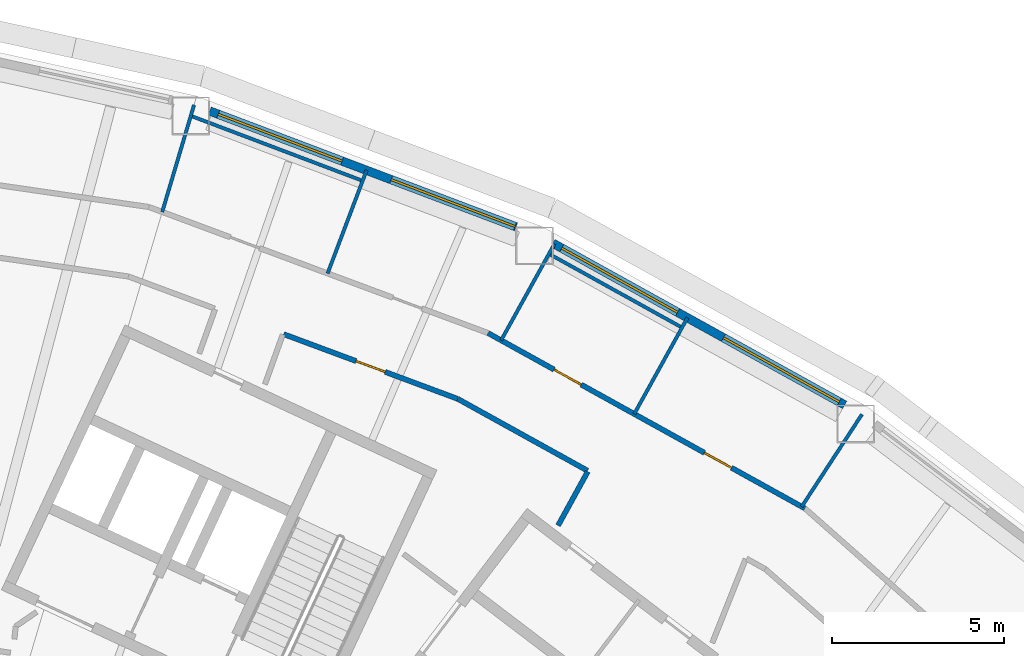
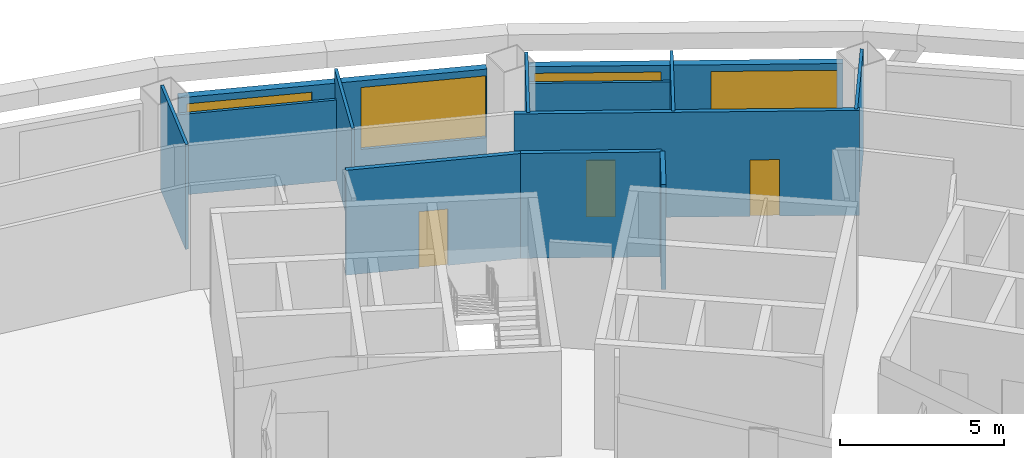
# One storey, part 9 of 12: 13 walls, 4 windows, 3 doors, 7 openings.
"""IFC4 building model written with IfcOpenShell, lengths in metres."""

from ifc_helpers import new_model, si_unit, direction, frame, frame_2d, origin, place, context, subcontext, project, spatial, rectangle, extrude, material, layer, layer_set, type_object, element, fill, save


model = new_model("IFC4")

# Units and contexts
model_context = context("Model", 3, precision=1e-05, world=origin(), true_north=direction((0.0, 1.0)))
body_context = subcontext(model_context, "Body", "Model", "MODEL_VIEW")
ifc_project = project(units=[si_unit("LENGTHUNIT", "METRE"), si_unit("AREAUNIT", "SQUARE_METRE"), si_unit("VOLUMEUNIT", "CUBIC_METRE"), si_unit("PLANEANGLEUNIT", "RADIAN"), si_unit("MASSUNIT", "GRAM", prefix="KILO")], contexts=[model_context])

# Site, building, storey
site_placement = place(None, origin())
site = spatial("IfcSite", under=ifc_project, at=site_placement, CompositionType="ELEMENT")
building_placement = place(site_placement, origin())
building = spatial("IfcBuilding", under=site, at=building_placement, Name="Tuul Gate Civic Tower", CompositionType="ELEMENT")
storey_placement = place(building_placement, frame((0.0, 0.0, 103.5)))
storey = spatial("IfcBuildingStorey", under=building, at=storey_placement, Name="Level 23", CompositionType="ELEMENT", Elevation=103.5)

# Wall, openings, doors
ifc_material_1 = material(Name="Gypsum board partition")
ifc_layer_1 = layer(ifc_material_1, 0.14990234375)
ifc_layer_set_1 = layer_set([ifc_layer_1], Name="Gypsum board partition")
wall_type_1 = type_object("IfcWallType", Name="Corridor wall P150", PredefinedType="PARTITIONING", material=ifc_layer_set_1)
wall_1_placement = place(storey_placement, frame((39.54541015625, 4.30322265625, 0.0), z_axis=(0.0, 0.0, 1.0), x_axis=(0.874963966878, -0.48418803854, 0.0)))
wall_1 = element("IfcWall", 1, at=wall_1_placement, inside=storey, type_object=wall_type_1, Name="p004", PredefinedType="PARTITIONING", context=body_context, shape_type="SweptSolid", body=[
    extrude(rectangle(XDim=10.519775390625, YDim=0.14990234375, at=frame_2d((5.259765625, 0.0))), origin(), (0.0, 0.0, 1.0), 3.89990234375),
])
opening_1_placement = place(wall_1_placement, frame((7.186279296875, 0.0, 0.0)))
opening_1 = element("IfcOpeningElement", 2, at=opening_1_placement, cuts=wall_1, Name="Opening G-D02", PredefinedType="OPENING", context=body_context, shape_type="SweptSolid", body=[
    extrude(rectangle(XDim=0.89990234375, YDim=2.10009765625, at=frame_2d((0.449951171875, 1.050048828125))), frame((0.0, 0.0849609375, 0.0), z_axis=(0.0, -1.0, 0.0), x_axis=(1.0, 0.0, 0.0)), (0.0, 0.0, 1.0), 0.169921875),
])
opening_2_placement = place(wall_1_placement, frame((2.193603515625, 0.0, 0.0)))
opening_2 = element("IfcOpeningElement", 3, at=opening_2_placement, cuts=wall_1, Name="Opening G-D03", PredefinedType="OPENING", context=body_context, shape_type="SweptSolid", body=[
    extrude(rectangle(XDim=0.89990234375, YDim=2.10009765625, at=frame_2d((0.449951171875, 1.050048828125))), frame((0.0, 0.0849609375, 0.0), z_axis=(0.0, -1.0, 0.0), x_axis=(1.0, 0.0, 0.0)), (0.0, 0.0, 1.0), 0.169921875),
])
ifc_material_2 = material(Name="Timber door leaf", Category="wood")
door_type = type_object("IfcDoorType", Name="Door D09", OperationType="NOTDEFINED", PredefinedType="DOOR", material=ifc_material_2)
door_1_placement = place(opening_1_placement, origin())
door_1 = element("IfcDoor", 4, at=door_1_placement, inside=storey, type_object=door_type, Name="Door G-D02", OperationType="SINGLE_SWING_RIGHT", OverallHeight=2.10009765625, OverallWidth=0.89990234375, PredefinedType="DOOR", context=body_context, shape_type="SweptSolid", body=[
    extrude(rectangle(XDim=0.89990234375, YDim=2.10009765625, at=frame_2d((0.449951171875, 1.050048828125))), frame((0.0, 0.02490234375, 0.0), z_axis=(0.0, -1.0, 0.0), x_axis=(1.0, 0.0, 0.0)), (0.0, 0.0, 1.0), 0.050048828125),
])
fill(opening_1, door_1)
door_2_placement = place(opening_2_placement, origin())
door_2 = element("IfcDoor", 5, at=door_2_placement, inside=storey, type_object=door_type, Name="Door G-D03", OperationType="SINGLE_SWING_RIGHT", OverallHeight=2.10009765625, OverallWidth=0.89990234375, PredefinedType="DOOR", context=body_context, shape_type="SweptSolid", body=[
    extrude(rectangle(XDim=0.89990234375, YDim=2.10009765625, at=frame_2d((0.449951171875, 1.050048828125))), frame((0.0, 0.02490234375, 0.0), z_axis=(0.0, -1.0, 0.0), x_axis=(1.0, 0.0, 0.0)), (0.0, 0.0, 1.0), 0.050048828125),
])
fill(opening_2, door_2)

# Wall
wall_2_placement = place(storey_placement, frame((38.66748046875, 2.388916015625, 0.0), z_axis=(0.0, 0.0, 1.0), x_axis=(0.874977303157, -0.484163938103, 0.0)))
element("IfcWall", 6, at=wall_2_placement, inside=storey, type_object=wall_type_1, Name="p054", PredefinedType="PARTITIONING", context=body_context, shape_type="SweptSolid", body=[
    extrude(rectangle(XDim=4.3046875, YDim=0.14990234375, at=frame_2d((2.15234375, 0.0))), origin(), (0.0, 0.0, 1.0), 3.89990234375),
])

# Wall, opening, door
wall_3_placement = place(storey_placement, frame((33.6025390625, 4.271728515625, 0.0), z_axis=(0.0, 0.0, 1.0), x_axis=(0.937345147729, -0.348402172826, 0.0)))
wall_3 = element("IfcWall", 7, at=wall_3_placement, inside=storey, type_object=wall_type_1, Name="p060", PredefinedType="PARTITIONING", context=body_context, shape_type="SweptSolid", body=[
    extrude(rectangle(XDim=5.400634765625, YDim=0.14990234375, at=frame_2d((2.7001953125, 0.0))), origin(), (0.0, 0.0, 1.0), 3.89990234375),
])
opening_3_placement = place(wall_3_placement, frame((2.250244140625, 0.0, 0.0)))
opening_3 = element("IfcOpeningElement", 8, at=opening_3_placement, cuts=wall_3, Name="Opening G-D16", PredefinedType="OPENING", context=body_context, shape_type="SweptSolid", body=[
    extrude(rectangle(XDim=0.89990234375, YDim=2.10009765625, at=frame_2d((0.449951171875, 1.050048828125))), frame((0.0, 0.0849609375, 0.0), z_axis=(0.0, -1.0, 0.0), x_axis=(1.0, 0.0, 0.0)), (0.0, 0.0, 1.0), 0.169921875),
])
door_3_placement = place(opening_3_placement, frame((0.89990234375, 0.0, 0.0), z_axis=(0.0, 0.0, 1.0), x_axis=(-1.0, 0.0, 0.0)))
door_3 = element("IfcDoor", 9, at=door_3_placement, inside=storey, type_object=door_type, Name="Door G-D16", OperationType="SINGLE_SWING_LEFT", OverallHeight=2.10009765625, OverallWidth=0.89990234375, PredefinedType="DOOR", context=body_context, shape_type="SweptSolid", body=[
    extrude(rectangle(XDim=0.89990234375, YDim=2.10009765625, at=frame_2d((0.449951171875, 1.050048828125))), frame((0.0, 0.02490234375, 0.0), z_axis=(0.0, -1.0, 0.0), x_axis=(1.0, 0.0, 0.0)), (0.0, 0.0, 1.0), 0.050048828125),
])
fill(opening_3, door_3)

# Wall
wall_4_placement = place(storey_placement, frame((41.580322265625, -1.288818359375, 0.0), z_axis=(0.0, 0.0, 1.0), x_axis=(0.481939719388, 0.876204375061, 0.0)))
element("IfcWall", 10, at=wall_4_placement, inside=storey, type_object=wall_type_1, Name="p061", PredefinedType="PARTITIONING", context=body_context, shape_type="SweptSolid", body=[
    extrude(rectangle(XDim=1.78759765625, YDim=0.14990234375, at=frame_2d((0.893798828125, 0.0))), origin(), (0.0, 0.0, 1.0), 3.89990234375),
])

# Wall, openings, windows
ifc_material_3 = material(Name="Precast concrete C40/50", Category="concrete")
ifc_layer_2 = layer(ifc_material_3, 0.25)
ifc_layer_set_2 = layer_set([ifc_layer_2], Name="Precast concrete C40/50")
wall_type_2 = type_object("IfcWallType", Name="External wall", PredefinedType="STANDARD", material=ifc_layer_set_2)
wall_5_placement = place(storey_placement, frame((49.909912109375, 2.214111328125, 0.0), z_axis=(0.0, 0.0, 1.0), x_axis=(-0.874636658458, 0.484779037997, 0.0)))
wall_5 = element("IfcWall", 11, at=wall_5_placement, inside=storey, type_object=wall_type_2, Name="External wall", PredefinedType="STANDARD", context=body_context, shape_type="SweptSolid", body=[
    extrude(rectangle(XDim=9.696533203125, YDim=0.25, at=frame_2d((4.84814453125, 0.0))), origin(), (0.0, 0.0, 1.0), 3.449951171875),
])
opening_4_placement = place(wall_5_placement, frame((0.180419921875, 0.0, 0.89990234375)))
opening_4 = element("IfcOpeningElement", 12, at=opening_4_placement, cuts=wall_5, Name="Opening W22", PredefinedType="OPENING", context=body_context, shape_type="SweptSolid", body=[
    extrude(rectangle(XDim=3.85009765625, YDim=2.300048828125, at=frame_2d((1.925048828125, 1.14990234375))), frame((0.0, 0.135009765625, 0.0), z_axis=(0.0, -1.0, 0.0), x_axis=(1.0, 0.0, 0.0)), (0.0, 0.0, 1.0), 0.27001953125),
])
opening_5_placement = place(wall_5_placement, frame((5.5517578125, 0.0, 0.89990234375)))
opening_5 = element("IfcOpeningElement", 13, at=opening_5_placement, cuts=wall_5, Name="Opening W22", PredefinedType="OPENING", context=body_context, shape_type="SweptSolid", body=[
    extrude(rectangle(XDim=3.85009765625, YDim=2.300048828125, at=frame_2d((1.925048828125, 1.14990234375))), frame((0.0, 0.135009765625, 0.0), z_axis=(0.0, -1.0, 0.0), x_axis=(1.0, 0.0, 0.0)), (0.0, 0.0, 1.0), 0.27001953125),
])
ifc_material_4 = material(Name="Glass", Category="glass")
window_type = type_object("IfcWindowType", Name="Window W22 3850 x 2300", PartitioningType="SINGLE_PANEL", PredefinedType="WINDOW", material=ifc_material_4)
window_1_placement = place(opening_4_placement, origin())
window_1 = element("IfcWindow", 14, at=window_1_placement, inside=storey, type_object=window_type, Name="Window", OverallHeight=2.300048828125, OverallWidth=3.85009765625, PartitioningType="SINGLE_PANEL", PredefinedType="WINDOW", context=body_context, shape_type="SweptSolid", body=[
    extrude(rectangle(XDim=3.85009765625, YDim=2.300048828125, at=frame_2d((1.925048828125, 1.14990234375))), frame((0.0, 0.030029296875, 0.0), z_axis=(0.0, -1.0, 0.0), x_axis=(1.0, 0.0, 0.0)), (0.0, 0.0, 1.0), 0.06005859375),
])
fill(opening_4, window_1)
window_2_placement = place(opening_5_placement, origin())
window_2 = element("IfcWindow", 15, at=window_2_placement, inside=storey, type_object=window_type, Name="Window", OverallHeight=2.300048828125, OverallWidth=3.85009765625, PartitioningType="SINGLE_PANEL", PredefinedType="WINDOW", context=body_context, shape_type="SweptSolid", body=[
    extrude(rectangle(XDim=3.85009765625, YDim=2.300048828125, at=frame_2d((1.925048828125, 1.14990234375))), frame((0.0, 0.030029296875, 0.0), z_axis=(0.0, -1.0, 0.0), x_axis=(1.0, 0.0, 0.0)), (0.0, 0.0, 1.0), 0.06005859375),
])
fill(opening_5, window_2)

wall_6_placement = place(storey_placement, frame((40.358154296875, 7.389892578125, 0.0), z_axis=(0.0, 0.0, 1.0), x_axis=(-0.935373880855, 0.353660434618, 0.0)))
wall_6 = element("IfcWall", 16, at=wall_6_placement, inside=storey, type_object=wall_type_2, Name="External wall", PredefinedType="STANDARD", context=body_context, shape_type="SweptSolid", body=[
    extrude(rectangle(XDim=9.518310546875, YDim=0.25, at=frame_2d((4.75927734375, 0.0))), origin(), (0.0, 0.0, 1.0), 3.449951171875),
])
opening_6_placement = place(wall_6_placement, frame((0.0341796875, 0.0, 0.89990234375)))
opening_6 = element("IfcOpeningElement", 17, at=opening_6_placement, cuts=wall_6, Name="Opening W22", PredefinedType="OPENING", context=body_context, shape_type="SweptSolid", body=[
    extrude(rectangle(XDim=3.85009765625, YDim=2.300048828125, at=frame_2d((1.925048828125, 1.14990234375))), frame((0.0, 0.135009765625, 0.0), z_axis=(0.0, -1.0, 0.0), x_axis=(1.0, 0.0, 0.0)), (0.0, 0.0, 1.0), 0.27001953125),
])
opening_7_placement = place(wall_6_placement, frame((5.4052734375, 0.0, 0.89990234375)))
opening_7 = element("IfcOpeningElement", 18, at=opening_7_placement, cuts=wall_6, Name="Opening W22", PredefinedType="OPENING", context=body_context, shape_type="SweptSolid", body=[
    extrude(rectangle(XDim=3.85009765625, YDim=2.300048828125, at=frame_2d((1.925048828125, 1.14990234375))), frame((0.0, 0.135009765625, 0.0), z_axis=(0.0, -1.0, 0.0), x_axis=(1.0, 0.0, 0.0)), (0.0, 0.0, 1.0), 0.27001953125),
])
window_3_placement = place(opening_6_placement, origin())
window_3 = element("IfcWindow", 19, at=window_3_placement, inside=storey, type_object=window_type, Name="Window", OverallHeight=2.300048828125, OverallWidth=3.85009765625, PartitioningType="SINGLE_PANEL", PredefinedType="WINDOW", context=body_context, shape_type="SweptSolid", body=[
    extrude(rectangle(XDim=3.85009765625, YDim=2.300048828125, at=frame_2d((1.925048828125, 1.14990234375))), frame((0.0, 0.030029296875, 0.0), z_axis=(0.0, -1.0, 0.0), x_axis=(1.0, 0.0, 0.0)), (0.0, 0.0, 1.0), 0.06005859375),
])
fill(opening_6, window_3)
window_4_placement = place(opening_7_placement, origin())
window_4 = element("IfcWindow", 20, at=window_4_placement, inside=storey, type_object=window_type, Name="Window", OverallHeight=2.300048828125, OverallWidth=3.85009765625, PartitioningType="SINGLE_PANEL", PredefinedType="WINDOW", context=body_context, shape_type="SweptSolid", body=[
    extrude(rectangle(XDim=3.85009765625, YDim=2.300048828125, at=frame_2d((1.925048828125, 1.14990234375))), frame((0.0, 0.030029296875, 0.0), z_axis=(0.0, -1.0, 0.0), x_axis=(1.0, 0.0, 0.0)), (0.0, 0.0, 1.0), 0.06005859375),
])
fill(opening_7, window_4)

# Walls
ifc_material_5 = material(Name="Gypsum board partition")
ifc_layer_3 = layer(ifc_material_5, 0.10009765625)
ifc_layer_set_3 = layer_set([ifc_layer_3], Name="Gypsum board partition")
wall_type_3 = type_object("IfcWallType", Name="Partition P100", PredefinedType="PARTITIONING", material=ifc_layer_set_3)
wall_7_placement = place(storey_placement, frame((48.660888671875, -0.7412109375, 0.0), z_axis=(0.0, 0.0, 1.0), x_axis=(0.546725662332, 0.837311799838, 0.0)))
element("IfcWall", 21, at=wall_7_placement, inside=storey, type_object=wall_type_3, Name="p001", PredefinedType="PARTITIONING", context=body_context, shape_type="SweptSolid", body=[
    extrude(rectangle(XDim=3.20361328125, YDim=0.10009765625, at=frame_2d((1.601806640625, 0.0))), origin(), (0.0, 0.0, 1.0), 3.89990234375),
])
wall_8_placement = place(storey_placement, frame((43.79296875, 1.95263671875, 0.0), z_axis=(0.0, 0.0, 1.0), x_axis=(0.484158359677, 0.874980389926, 0.0)))
element("IfcWall", 22, at=wall_8_placement, inside=storey, type_object=wall_type_3, Name="p007", PredefinedType="PARTITIONING", context=body_context, shape_type="SweptSolid", body=[
    extrude(rectangle(XDim=3.198974609375, YDim=0.10009765625, at=frame_2d((1.599609375, 0.0))), origin(), (0.0, 0.0, 1.0), 3.89990234375),
])
wall_9_placement = place(storey_placement, frame((39.9248046875, 4.09326171875, 0.0), z_axis=(0.0, 0.0, 1.0), x_axis=(0.484153298881, 0.874983190229, 0.0)))
element("IfcWall", 23, at=wall_9_placement, inside=storey, type_object=wall_type_3, Name="p008", PredefinedType="PARTITIONING", context=body_context, shape_type="SweptSolid", body=[
    extrude(rectangle(XDim=3.2021484375, YDim=0.10009765625, at=frame_2d((1.60107421875, 0.0))), origin(), (0.0, 0.0, 1.0), 3.89990234375),
])
wall_10_placement = place(storey_placement, frame((30.07421875, 7.823486328125, 0.0), z_axis=(0.0, 0.0, 1.0), x_axis=(0.285228087536, 0.958459669512, 0.0)))
element("IfcWall", 24, at=wall_10_placement, inside=storey, type_object=wall_type_3, Name="p009", PredefinedType="PARTITIONING", context=body_context, shape_type="SweptSolid", body=[
    extrude(rectangle(XDim=3.244873046875, YDim=0.10009765625, at=frame_2d((1.62255859375, 0.0))), origin(), (0.0, 0.0, 1.0), 3.89990234375),
])
wall_11_placement = place(storey_placement, frame((34.881103515625, 6.036865234375, 0.0), z_axis=(0.0, 0.0, 1.0), x_axis=(0.353699544587, 0.935359092626, 0.0)))
element("IfcWall", 25, at=wall_11_placement, inside=storey, type_object=wall_type_3, Name="p011", PredefinedType="PARTITIONING", context=body_context, shape_type="SweptSolid", body=[
    extrude(rectangle(XDim=3.20751953125, YDim=0.10009765625, at=frame_2d((1.603759765625, 0.0))), origin(), (0.0, 0.0, 1.0), 3.89990234375),
])
ifc_material_6 = material(Name="Gypsum board partition")
ifc_layer_4 = layer(ifc_material_6, 0.10009765625)
ifc_layer_set_4 = layer_set([ifc_layer_4], Name="Gypsum board partition")
wall_type_4 = type_object("IfcWallType", Name="Partition P100 3000 HIGH", PredefinedType="PARTITIONING", material=ifc_layer_set_4)
wall_12_placement = place(storey_placement, frame((41.3154296875, 6.606201171875, 0.0), z_axis=(0.0, 0.0, 1.0), x_axis=(0.874631038465, -0.48478917743, 0.0)))
element("IfcWall", 26, at=wall_12_placement, inside=storey, type_object=wall_type_4, Name="p083", PredefinedType="PARTITIONING", context=body_context, shape_type="SweptSolid", body=[
    extrude(rectangle(XDim=4.420166015625, YDim=0.10009765625, at=frame_2d((2.2099609375, 0.0))), origin(), (0.0, 0.0, 1.0), 3.0),
])
wall_13_placement = place(storey_placement, frame((30.9052734375, 10.61669921875, 0.0), z_axis=(0.0, 0.0, 1.0), x_axis=(0.935367232541, -0.353678017819, 0.0)))
element("IfcWall", 27, at=wall_13_placement, inside=storey, type_object=wall_type_4, Name="p084", PredefinedType="PARTITIONING", context=body_context, shape_type="SweptSolid", body=[
    extrude(rectangle(XDim=5.338623046875, YDim=0.10009765625, at=frame_2d((2.66943359375, 0.0))), origin(), (0.0, 0.0, 1.0), 3.0),
])

save(model, "model.ifc")
